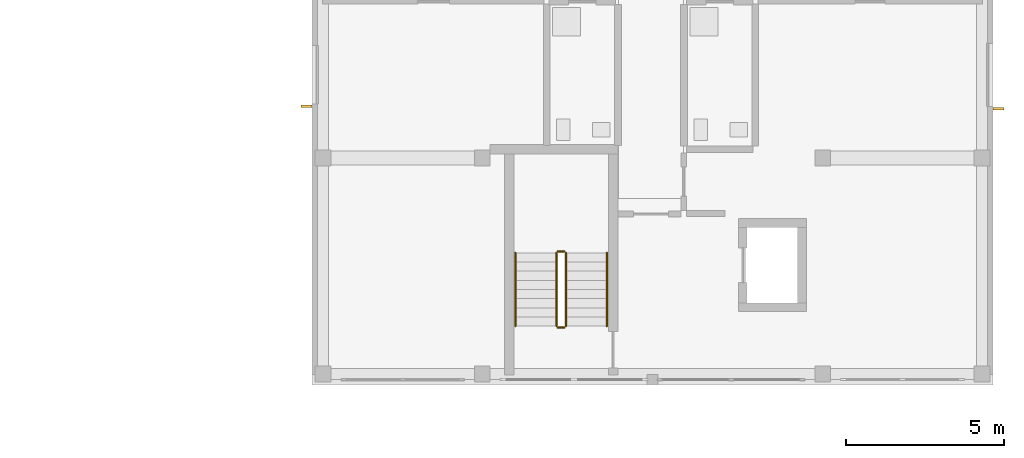
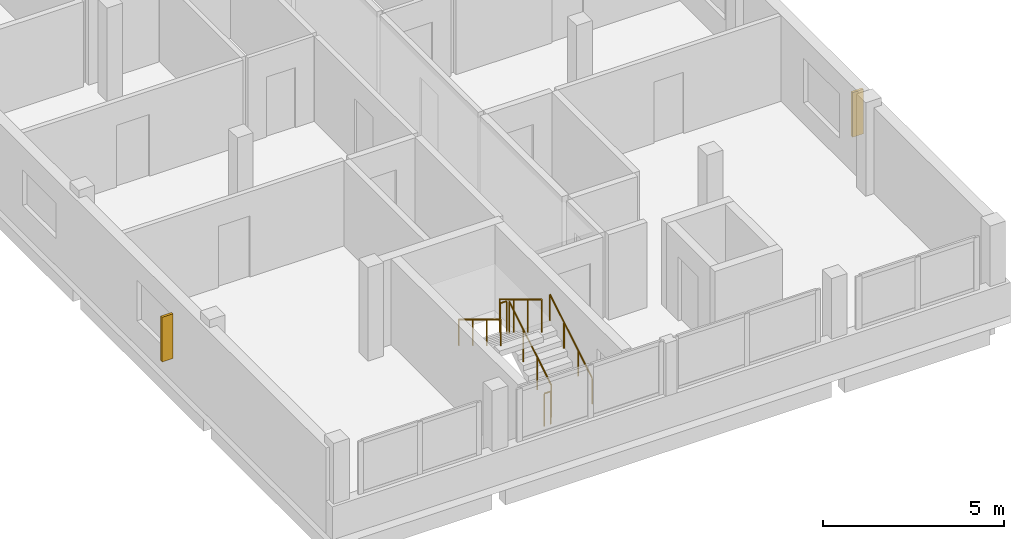
# One storey, part 24 of 28: 6 railings, 2 shading devices.
"""IFC4 building model written with IfcOpenShell, lengths in metres."""

import ifcopenshell
import ifcopenshell.guid

model = None  # the IFC model being written
_history = None  # IfcOwnerHistory: only IFC2X3 demands one
_inside = {}  # id of a spatial element -> (the spatial element, [elements in it])
_under = {}  # id of a project, library or spatial element -> (it, [spatial elements below it])
_declared = {}  # id of a project -> (the project, [libraries it declares])
_typed = {}  # id of a type object -> (the type object, [elements of that type])
_made_of = {}  # id of a material, layer set ... -> (it, [elements and type objects made of it])


def new_model(schema):
    """Start an empty IFC model of exactly this schema.

    Asked for "IFC4X3", IfcOpenShell would pick the latest addendum, in which some entities
    have other attributes; the version numbers below select the first issue.
    IFC2X3 requires an IfcOwnerHistory on every rooted entity: one is made here for all.
    """
    global model, _history
    if schema == "IFC4X3":
        model = ifcopenshell.file(schema_version=(4, 3, 0, 0))
    else:
        model = ifcopenshell.file(schema=schema)
    _inside.clear()
    _under.clear()
    _declared.clear()
    _typed.clear()
    _made_of.clear()
    _history = None
    if model.schema == "IFC2X3":
        org = make("IfcOrganization", Name="unknown")
        user = make(
            "IfcPersonAndOrganization",
            ThePerson=make("IfcPerson", FamilyName="unknown"),
            TheOrganization=org,
        )
        app = make(
            "IfcApplication",
            ApplicationDeveloper=org,
            Version="unknown",
            ApplicationFullName="unknown",
            ApplicationIdentifier="unknown",
        )
        _history = make(
            "IfcOwnerHistory",
            OwningUser=user,
            OwningApplication=app,
            ChangeAction="ADDED",
            CreationDate=0,
        )
    return model


def make(cls, **values):
    """One entity of the class cls with the attributes given. An attribute that is None is left unset."""
    return model.create_entity(
        cls, **{name: value for name, value in values.items() if value is not None}
    )


def rooted(cls, **values):
    """An entity with a GlobalId (a new one), such as an element, a storey or a relation."""
    return make(cls, GlobalId=ifcopenshell.guid.new(), OwnerHistory=_history, **values)


def si_unit(unit_type, name, prefix=None):
    """IfcSIUnit, for example si_unit("LENGTHUNIT", "METRE", prefix="MILLI")."""
    return make("IfcSIUnit", UnitType=unit_type, Prefix=prefix, Name=name)


def derived_unit(unit_type, elements):
    """IfcDerivedUnit: a product of units, each with its exponent."""
    return make(
        "IfcDerivedUnit",
        Elements=[
            make("IfcDerivedUnitElement", Unit=unit, Exponent=power)
            for unit, power in elements
        ],
        UnitType=unit_type,
    )


def assignment(units):
    """IfcUnitAssignment: the units of a project."""
    return None if units is None else make("IfcUnitAssignment", Units=units)


def point(xyz):
    """IfcCartesianPoint."""
    return None if xyz is None else make("IfcCartesianPoint", Coordinates=xyz)


def direction(xyz):
    """IfcDirection."""
    return None if xyz is None else make("IfcDirection", DirectionRatios=xyz)


def frame(location, z_axis=None, x_axis=None):
    """IfcAxis2Placement3D, a coordinate frame: its origin and axes. An axis left out is left unset."""
    return make(
        "IfcAxis2Placement3D",
        Location=point(location),
        Axis=direction(z_axis),
        RefDirection=direction(x_axis),
    )


def frame_2d(location, x_axis=None):
    """IfcAxis2Placement2D, a coordinate frame in the plane: its origin and x axis."""
    return make(
        "IfcAxis2Placement2D", Location=point(location), RefDirection=direction(x_axis)
    )


def origin():
    """The frame at (0, 0, 0) with its axes left unset."""
    return frame((0.0, 0.0, 0.0))


def origin_2d():
    """The frame at (0, 0) in the plane with its x axis left unset."""
    return frame_2d((0.0, 0.0))


def place(relative_to, where):
    """IfcLocalPlacement: puts the frame where relative to a parent placement (None: the world)."""
    return make(
        "IfcLocalPlacement", PlacementRelTo=relative_to, RelativePlacement=where
    )


def context(
    kind, dimensions, precision=None, world=None, true_north=None, identifier=None
):
    """IfcGeometricRepresentationContext, for example the 3D "Model" context."""
    return make(
        "IfcGeometricRepresentationContext",
        ContextIdentifier=identifier,
        ContextType=kind,
        CoordinateSpaceDimension=dimensions,
        Precision=precision,
        WorldCoordinateSystem=world,
        TrueNorth=true_north,
    )


def subcontext(parent, identifier, kind, view, scale=None):
    """IfcGeometricRepresentationSubContext, for example "Body" below "Model"."""
    return make(
        "IfcGeometricRepresentationSubContext",
        ContextIdentifier=identifier,
        ContextType=kind,
        ParentContext=parent,
        TargetScale=scale,
        TargetView=view,
    )


def project(units=None, contexts=None):
    """IfcProject with its units and contexts."""
    return rooted(
        "IfcProject",
        Name="project",
        RepresentationContexts=contexts,
        UnitsInContext=assignment(units),
    )


def spatial(cls, under=None, at=None, **own):
    """A site, building, storey or space (cls), placed at a placement, below another one or the project."""
    s = rooted(cls, ObjectPlacement=at, **own)
    if under is not None:
        _under.setdefault(under.id(), (under, []))[1].append(s)
    return s


def profile(cls, at=None, kind="AREA", **sizes):
    """A parametric profile (cls). Its sizes go by their IFC names, for example OverallWidth=200.0."""
    return make(cls, ProfileType=kind, Position=at, **sizes)


def rectangle(**sizes):
    """IfcRectangleProfileDef."""
    return profile("IfcRectangleProfileDef", **sizes)


def circle(**sizes):
    """IfcCircleProfileDef."""
    return profile("IfcCircleProfileDef", **sizes)


def extrude(swept, where, along, depth):
    """IfcExtrudedAreaSolid: the profile swept, set in the frame where, extruded along a direction by depth."""
    return make(
        "IfcExtrudedAreaSolid",
        SweptArea=swept,
        Position=where,
        ExtrudedDirection=direction(along),
        Depth=depth,
    )


def shape(context_of_items, identifier, shape_type, items):
    """IfcShapeRepresentation: the items that make up one representation, for example the "Body"."""
    return make(
        "IfcShapeRepresentation",
        ContextOfItems=context_of_items,
        RepresentationIdentifier=identifier,
        RepresentationType=shape_type,
        Items=items,
    )


def material(Name=None, Category=None):
    """IfcMaterial."""
    return make("IfcMaterial", Name=Name, Category=Category)


def made_of(thing, what):
    """Note that an element or type object is made of a material, layer set ...; save() writes the relation."""
    if what is not None:
        _made_of.setdefault(what.id(), (what, []))[1].append(thing)
    return thing


def type_object(cls, material=None, **own):
    """A type object (cls), such as IfcWallType, which elements share."""
    return made_of(rooted(cls, **own), material)


def element(
    cls,
    number,
    at=None,
    inside=None,
    cuts=None,
    type_object=None,
    material=None,
    context=None,
    identifier="Body",
    shape_type=None,
    held_by="IfcProductDefinitionShape",
    body=None,
    shapes=None,
    **own,
):
    """One element of the class cls, such as IfcWall. Its Tag is "e" and its number.

    at: its placement. inside: the storey or other place that contains it. cuts: it is an
    opening in that element (IfcRelVoidsElement). A single representation is given by context,
    identifier, shape_type and body (its items); several are given by shapes. held_by: the class
    of the entity that holds the representations. save() writes the other relations.
    """
    e = rooted(cls, Tag="e%d" % number, ObjectPlacement=at, **own)
    if body is not None:
        shapes = [shape(context, identifier, shape_type, body)]
    if shapes is not None:
        e.Representation = make(held_by, Representations=shapes)
    if inside is not None:
        _inside.setdefault(inside.id(), (inside, []))[1].append(e)
    if cuts is not None:
        rooted(
            "IfcRelVoidsElement", RelatingBuildingElement=cuts, RelatedOpeningElement=e
        )
    if type_object is not None:
        _typed.setdefault(type_object.id(), (type_object, []))[1].append(e)
    return made_of(e, material)


def aggregate(whole, parts):
    """IfcRelAggregates: a whole, such as a stair, and the parts it consists of."""
    return rooted("IfcRelAggregates", RelatingObject=whole, RelatedObjects=parts)


def save(model, path):
    """Write the relations noted so far, then the file.

    IfcRelAggregates (storeys below a building ...), IfcRelContainedInSpatialStructure (elements
    in a storey), IfcRelDefinesByType, IfcRelAssociatesMaterial and IfcRelDeclares: one each for
    every whole, place, type object, material and project.
    """
    for whole, parts in _under.values():
        aggregate(whole, parts)
    for where, things in _inside.values():
        rooted(
            "IfcRelContainedInSpatialStructure",
            RelatedElements=things,
            RelatingStructure=where,
        )
    for kind, things in _typed.values():
        rooted("IfcRelDefinesByType", RelatedObjects=things, RelatingType=kind)
    for what, things in _made_of.values():
        rooted("IfcRelAssociatesMaterial", RelatedObjects=things, RelatingMaterial=what)
    for by, libraries in _declared.values():
        rooted("IfcRelDeclares", RelatingContext=by, RelatedDefinitions=libraries)
    model.write(path)


model = new_model("IFC4")

# Units and contexts
model_context = context("Model", 3, precision=1e-05, world=origin(), true_north=direction((0.0, 1.0)))
body_context = subcontext(model_context, "Body", "Model", "MODEL_VIEW")
ifc_project = project(units=[si_unit("LENGTHUNIT", "METRE"), si_unit("AREAUNIT", "SQUARE_METRE"), si_unit("VOLUMEUNIT", "CUBIC_METRE"), si_unit("PLANEANGLEUNIT", "RADIAN"), si_unit("MASSUNIT", "GRAM", prefix="KILO"), derived_unit("THERMALTRANSMITTANCEUNIT", [(si_unit("MASSUNIT", "GRAM", prefix="KILO"), 1), (si_unit("TIMEUNIT", "SECOND"), -3), (si_unit("THERMODYNAMICTEMPERATUREUNIT", "KELVIN"), -1)])], contexts=[model_context])

# Site, building, storey
site_placement = place(None, origin())
site = spatial("IfcSite", under=ifc_project, at=site_placement, CompositionType="ELEMENT")
building_placement = place(site_placement, origin())
building = spatial("IfcBuilding", under=site, at=building_placement, Name="Ochrekiln Boulevard Commons", CompositionType="ELEMENT")
storey_placement = place(building_placement, frame((0.0, 0.0, 34.125)))
storey = spatial("IfcBuildingStorey", under=building, at=storey_placement, Name="L10", CompositionType="ELEMENT", Elevation=34.125)

# Railings
ifc_material_1 = material(Name="Brushed stainless steel 316 tubular railing", Category="steel")
railing_type_1 = type_object("IfcRailingType", Name="RLG-HDR-900", PredefinedType="HANDRAIL", material=ifc_material_1)
railing_1_placement = place(storey_placement, frame((160.550048828125, 70.27001953125, 0.175048828125)))
element("IfcRailing", 1, at=railing_1_placement, inside=storey, type_object=railing_type_1, Name="L10 ST-B1 stair handrail 1", PredefinedType="HANDRAIL", context=body_context, shape_type="SweptSolid", body=[
    extrude(circle(Radius=0.02392578125, at=origin_2d()), frame((0.0, 0.0, 0.8759765625), z_axis=(0.0, 0.85621033714, 0.516627388526), x_axis=(-1.0, 0.0, 0.0)), (0.0, 0.0, 1.0), 2.709716796875),
    extrude(circle(Radius=0.02099609375, at=origin_2d()), origin(), (0.0, 0.0, 1.0), 0.851806640625),
    extrude(circle(Radius=0.02099609375, at=origin_2d()), frame((0.0, 0.7734375, 0.466552734375)), (0.0, 0.0, 1.0), 0.851806640625),
    extrude(circle(Radius=0.02099609375, at=origin_2d()), frame((0.0, 1.546630859375, 0.933349609375)), (0.0, 0.0, 1.0), 0.851806640625),
    extrude(circle(Radius=0.02099609375, at=origin_2d()), frame((0.0, 2.320068359375, 1.39990234375)), (0.0, 0.0, 1.0), 0.851806640625),
])
railing_2_placement = place(storey_placement, frame((157.64990234375, 72.590087890625, 1.75)))
element("IfcRailing", 2, at=railing_2_placement, inside=storey, type_object=railing_type_1, Name="L10 ST-B1 stair handrail 2", PredefinedType="HANDRAIL", context=body_context, shape_type="SweptSolid", body=[
    extrude(circle(Radius=0.02392578125, at=origin_2d()), frame((0.0, 0.0, 0.8759765625), z_axis=(0.0, -0.85621033714, 0.516627388526), x_axis=(1.0, 0.0, 0.0)), (0.0, 0.0, 1.0), 2.709716796875),
    extrude(circle(Radius=0.02099609375, at=origin_2d()), origin(), (0.0, 0.0, 1.0), 0.851806640625),
    extrude(circle(Radius=0.02099609375, at=origin_2d()), frame((0.0, -0.7734375, 0.466552734375)), (0.0, 0.0, 1.0), 0.851806640625),
    extrude(circle(Radius=0.02099609375, at=origin_2d()), frame((0.0, -1.546630859375, 0.933349609375)), (0.0, 0.0, 1.0), 0.851806640625),
    extrude(circle(Radius=0.02099609375, at=origin_2d()), frame((0.0, -2.320068359375, 1.39990234375)), (0.0, 0.0, 1.0), 0.851806640625),
])
railing_type_2 = type_object("IfcRailingType", Name="RLG-STR-1120", PredefinedType="BALUSTRADE", material=ifc_material_1)
railing_3_placement = place(storey_placement, frame((159.25, 70.27001953125, 0.175048828125)))
element("IfcRailing", 3, at=railing_3_placement, inside=storey, type_object=railing_type_2, Name="L10 ST-B1 stair guard 1", PredefinedType="BALUSTRADE", context=body_context, shape_type="SweptSolid", body=[
    extrude(circle(Radius=0.02392578125, at=origin_2d()), frame((0.0, 0.0, 1.09619140625), z_axis=(0.0, 0.85621033714, 0.516627388526), x_axis=(-1.0, 0.0, 0.0)), (0.0, 0.0, 1.0), 2.709716796875),
    extrude(circle(Radius=0.02099609375, at=origin_2d()), origin(), (0.0, 0.0, 1.0), 1.072021484375),
    extrude(circle(Radius=0.02099609375, at=origin_2d()), frame((0.0, 0.7734375, 0.466552734375)), (0.0, 0.0, 1.0), 1.072021484375),
    extrude(circle(Radius=0.02099609375, at=origin_2d()), frame((0.0, 1.546630859375, 0.933349609375)), (0.0, 0.0, 1.0), 1.072021484375),
    extrude(circle(Radius=0.02099609375, at=origin_2d()), frame((0.0, 2.320068359375, 1.39990234375)), (0.0, 0.0, 1.0), 1.072021484375),
])
railing_4_placement = place(storey_placement, frame((159.199951171875, 72.639892578125, 1.574951171875)))
element("IfcRailing", 4, at=railing_4_placement, inside=storey, type_object=railing_type_2, Name="L10 ST-B1 stair guard 2", PredefinedType="BALUSTRADE", context=body_context, shape_type="SweptSolid", body=[
    extrude(circle(Radius=0.02392578125, at=origin_2d()), frame((0.0, 0.0, 1.09619140625), z_axis=(-1.0, 0.0, 0.0), x_axis=(0.0, -1.0, 0.0)), (0.0, 0.0, 1.0), 0.199951171875),
    extrude(circle(Radius=0.02099609375, at=origin_2d()), origin(), (0.0, 0.0, 1.0), 1.072021484375),
    extrude(circle(Radius=0.02099609375, at=origin_2d()), frame((-0.199951171875, 0.0, 0.0)), (0.0, 0.0, 1.0), 1.072021484375),
])
railing_5_placement = place(storey_placement, frame((158.949951171875, 72.590087890625, 1.75)))
element("IfcRailing", 5, at=railing_5_placement, inside=storey, type_object=railing_type_2, Name="L10 ST-B1 stair guard 3", PredefinedType="BALUSTRADE", context=body_context, shape_type="SweptSolid", body=[
    extrude(circle(Radius=0.02392578125, at=origin_2d()), frame((0.0, 0.0, 1.09619140625), z_axis=(0.0, -0.85621033714, 0.516627388526), x_axis=(1.0, 0.0, 0.0)), (0.0, 0.0, 1.0), 2.709716796875),
    extrude(circle(Radius=0.02099609375, at=origin_2d()), origin(), (0.0, 0.0, 1.0), 1.072021484375),
    extrude(circle(Radius=0.02099609375, at=origin_2d()), frame((0.0, -0.7734375, 0.466552734375)), (0.0, 0.0, 1.0), 1.072021484375),
    extrude(circle(Radius=0.02099609375, at=origin_2d()), frame((0.0, -1.546630859375, 0.933349609375)), (0.0, 0.0, 1.0), 1.072021484375),
    extrude(circle(Radius=0.02099609375, at=origin_2d()), frame((0.0, -2.320068359375, 1.39990234375)), (0.0, 0.0, 1.0), 1.072021484375),
])
railing_6_placement = place(storey_placement, frame((159.199951171875, 70.219970703125, 0.0)))
element("IfcRailing", 6, at=railing_6_placement, inside=storey, type_object=railing_type_2, Name="L10 ST-B1 stair guard 4", PredefinedType="BALUSTRADE", context=body_context, shape_type="SweptSolid", body=[
    extrude(circle(Radius=0.02392578125, at=origin_2d()), frame((0.0, 0.0, 1.09619140625), z_axis=(-1.0, 0.0, 0.0), x_axis=(0.0, -1.0, 0.0)), (0.0, 0.0, 1.0), 0.199951171875),
    extrude(circle(Radius=0.02099609375, at=origin_2d()), origin(), (0.0, 0.0, 1.0), 1.072021484375),
    extrude(circle(Radius=0.02099609375, at=origin_2d()), frame((-0.199951171875, 0.0, 0.0)), (0.0, 0.0, 1.0), 1.072021484375),
])

# Shading devices
ifc_material_2 = material(Name="Glazed architectural terracotta ASTM C1405", Category="masonry")
shading_device_type = type_object("IfcShadingDeviceType", Name="SHD-FIN-TERRA", PredefinedType="JALOUSIE", material=ifc_material_2)
for number, where, z_axis, x_axis, name in (
    (7, (151.030029296875, 77.23291015625, 0.780029296875), (0.0, 0.0, 1.0), (1.0, 0.0, 0.0), "Terracotta Solar Shading Fin SF-01 (47)"),
    (8, (172.969970703125, 77.157958984375, 0.705078125), (0.0, 0.0, 1.0), (1.0, 0.0, 0.0), "Terracotta Solar Shading Fin SF-01 (48)"),
):
    element("IfcShadingDevice", number, at=place(storey_placement, frame(where, z_axis=z_axis, x_axis=x_axis)), inside=storey, type_object=shading_device_type, Name=name, PredefinedType="JALOUSIE", context=body_context, shape_type="SweptSolid", body=[
        extrude(rectangle(XDim=0.35009765625, YDim=0.080078125, at=origin_2d()), origin(), (0.0, 0.0, 1.0), 1.5),
    ])

save(model, "model.ifc")
